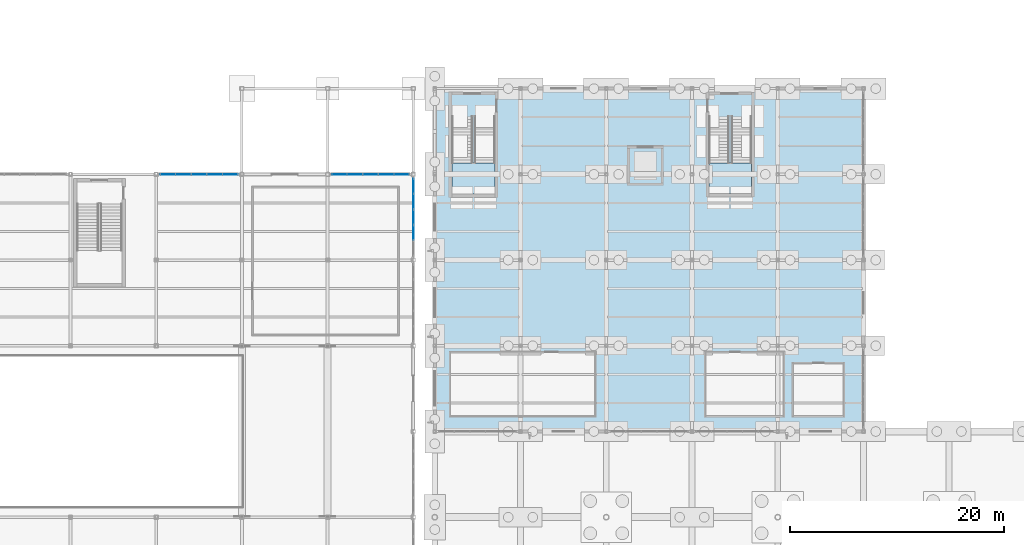
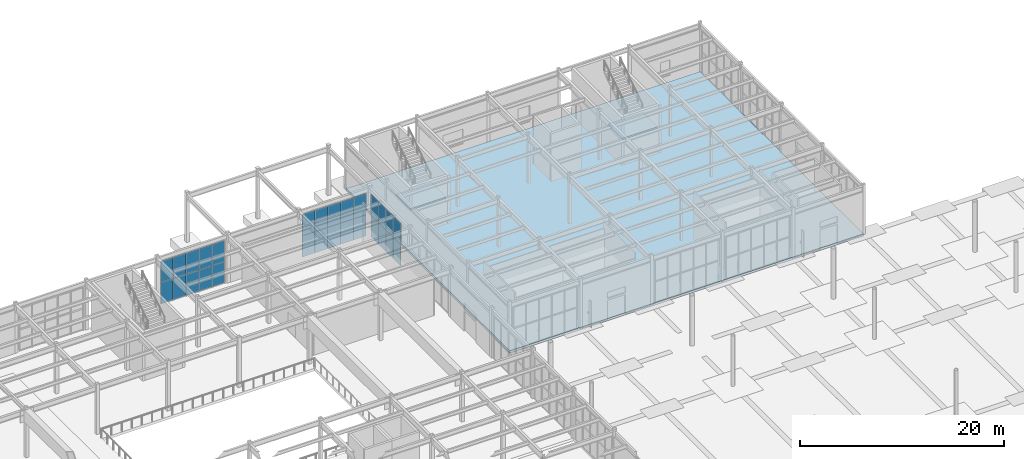
# One storey, part 54 of 82: 28 plates, 3 slabs, 5 elements without a shape of their own.
"""IFC4 building model written with IfcOpenShell, lengths in metres."""

from ifc_helpers import new_model, si_unit, direction, frame, origin, origin_2d, place, context, subcontext, project, spatial, polyline, rectangle, outline, extrude, material, layer, layer_set, type_object, element, aggregate, save


model = new_model("IFC4")

# Units and contexts
model_context = context("Model", 3, precision=1e-05, world=origin(), true_north=direction((0.0, 1.0)))
body_context = subcontext(model_context, "Body", "Model", "MODEL_VIEW")
ifc_project = project(units=[si_unit("LENGTHUNIT", "METRE"), si_unit("AREAUNIT", "SQUARE_METRE"), si_unit("VOLUMEUNIT", "CUBIC_METRE"), si_unit("PLANEANGLEUNIT", "RADIAN"), si_unit("MASSUNIT", "GRAM", prefix="KILO")], contexts=[model_context])

# Site, building, storey
site_placement = place(None, origin())
site = spatial("IfcSite", under=ifc_project, at=site_placement, CompositionType="ELEMENT")
building_placement = place(site_placement, origin())
building = spatial("IfcBuilding", under=site, at=building_placement, Name="Drelvath Fold Interchange", CompositionType="ELEMENT")
storey_placement = place(building_placement, origin())
storey = spatial("IfcBuildingStorey", under=building, at=storey_placement, Name="L00", CompositionType="ELEMENT", Elevation=0.0)

# Curtain wall, plates
ifc_material_1 = material(Name="Anodized Aluminium 6063-T6", Category="aluminium")
curtain_wall_type = type_object("IfcCurtainWallType", Name="CW-CON-600", PredefinedType="USERDEFINED", material=ifc_material_1)
curtain_wall_1_placement = place(storey_placement, origin())
curtain_wall_1 = element("IfcCurtainWall", 1, at=curtain_wall_1_placement, inside=storey, type_object=curtain_wall_type, Name="Curtain wall CW-V1-L00-N76", ObjectType="UNITISED CURTAIN WALL", PredefinedType="USERDEFINED")
ifc_material_2 = material(Name="Low-Iron Insulated Laminated Glass", Category="glass")
ifc_layer_1 = layer(ifc_material_2, 0.048095703125, Name="Low-Iron Insulated Laminated Glass")
ifc_layer_set_1 = layer_set([ifc_layer_1], Name="Low-Iron Insulated Laminated Glass")
plate_type = type_object("IfcPlateType", Name="CP-CON-A", PredefinedType="CURTAIN_PANEL", material=ifc_layer_set_1)
plate_1_placement = place(storey_placement, frame((77.10791015625, 99.0, 0.03955078125), z_axis=(0.0, 0.0, 1.0), x_axis=(1.0, 0.0, 0.0)))
plate_1 = element("IfcPlate", 2, at=plate_1_placement, type_object=plate_type, Name="CW-V1-L00-N76 glazed panel 0-0", PredefinedType="CURTAIN_PANEL", context=body_context, shape_type="SweptSolid", body=[
    extrude(rectangle(XDim=1.39599609375, YDim=0.048095703125, at=origin_2d()), origin(), (0.0, 0.0, 1.0), 2.52490234375),
])
plate_2_placement = place(storey_placement, frame((77.10791015625, 99.0, 2.58544921875), z_axis=(0.0, 0.0, 1.0), x_axis=(1.0, 0.0, 0.0)))
plate_2 = element("IfcPlate", 3, at=plate_2_placement, type_object=plate_type, Name="CW-V1-L00-N76 glazed panel 0-1", PredefinedType="CURTAIN_PANEL", context=body_context, shape_type="SweptSolid", body=[
    extrude(rectangle(XDim=1.39599609375, YDim=0.048095703125, at=origin_2d()), origin(), (0.0, 0.0, 1.0), 2.52490234375),
])
plate_3_placement = place(storey_placement, frame((78.5439453125, 99.0, 0.03955078125), z_axis=(0.0, 0.0, 1.0), x_axis=(1.0, 0.0, 0.0)))
plate_3 = element("IfcPlate", 4, at=plate_3_placement, type_object=plate_type, Name="CW-V1-L00-N76 glazed panel 1-0", PredefinedType="CURTAIN_PANEL", context=body_context, shape_type="SweptSolid", body=[
    extrude(rectangle(XDim=1.43603515625, YDim=0.048095703125, at=origin_2d()), origin(), (0.0, 0.0, 1.0), 2.52490234375),
])
plate_4_placement = place(storey_placement, frame((78.5439453125, 99.0, 2.58544921875), z_axis=(0.0, 0.0, 1.0), x_axis=(1.0, 0.0, 0.0)))
plate_4 = element("IfcPlate", 5, at=plate_4_placement, type_object=plate_type, Name="CW-V1-L00-N76 glazed panel 1-1", PredefinedType="CURTAIN_PANEL", context=body_context, shape_type="SweptSolid", body=[
    extrude(rectangle(XDim=1.43603515625, YDim=0.048095703125, at=origin_2d()), origin(), (0.0, 0.0, 1.0), 2.52490234375),
])
plate_5_placement = place(storey_placement, frame((80.0, 99.0, 0.03955078125), z_axis=(0.0, 0.0, 1.0), x_axis=(1.0, 0.0, 0.0)))
plate_5 = element("IfcPlate", 6, at=plate_5_placement, type_object=plate_type, Name="CW-V1-L00-N76 glazed panel 2-0", PredefinedType="CURTAIN_PANEL", context=body_context, shape_type="SweptSolid", body=[
    extrude(rectangle(XDim=1.43603515625, YDim=0.048095703125, at=origin_2d()), origin(), (0.0, 0.0, 1.0), 2.52490234375),
])
plate_6_placement = place(storey_placement, frame((80.0, 99.0, 2.58544921875), z_axis=(0.0, 0.0, 1.0), x_axis=(1.0, 0.0, 0.0)))
plate_6 = element("IfcPlate", 7, at=plate_6_placement, type_object=plate_type, Name="CW-V1-L00-N76 glazed panel 2-1", PredefinedType="CURTAIN_PANEL", context=body_context, shape_type="SweptSolid", body=[
    extrude(rectangle(XDim=1.43603515625, YDim=0.048095703125, at=origin_2d()), origin(), (0.0, 0.0, 1.0), 2.52490234375),
])
plate_7_placement = place(storey_placement, frame((81.4560546875, 99.0, 0.03955078125), z_axis=(0.0, 0.0, 1.0), x_axis=(1.0, 0.0, 0.0)))
plate_7 = element("IfcPlate", 8, at=plate_7_placement, type_object=plate_type, Name="CW-V1-L00-N76 glazed panel 3-0", PredefinedType="CURTAIN_PANEL", context=body_context, shape_type="SweptSolid", body=[
    extrude(rectangle(XDim=1.43603515625, YDim=0.048095703125, at=origin_2d()), origin(), (0.0, 0.0, 1.0), 2.52490234375),
])
plate_8_placement = place(storey_placement, frame((81.4560546875, 99.0, 2.58544921875), z_axis=(0.0, 0.0, 1.0), x_axis=(1.0, 0.0, 0.0)))
plate_8 = element("IfcPlate", 9, at=plate_8_placement, type_object=plate_type, Name="CW-V1-L00-N76 glazed panel 3-1", PredefinedType="CURTAIN_PANEL", context=body_context, shape_type="SweptSolid", body=[
    extrude(rectangle(XDim=1.43603515625, YDim=0.048095703125, at=origin_2d()), origin(), (0.0, 0.0, 1.0), 2.52490234375),
])
plate_9_placement = place(storey_placement, frame((82.89208984375, 99.0, 0.03955078125), z_axis=(0.0, 0.0, 1.0), x_axis=(1.0, 0.0, 0.0)))
plate_9 = element("IfcPlate", 10, at=plate_9_placement, type_object=plate_type, Name="CW-V1-L00-N76 glazed panel 4-0", PredefinedType="CURTAIN_PANEL", context=body_context, shape_type="SweptSolid", body=[
    extrude(rectangle(XDim=1.39599609375, YDim=0.048095703125, at=origin_2d()), origin(), (0.0, 0.0, 1.0), 2.52490234375),
])
plate_10_placement = place(storey_placement, frame((82.89208984375, 99.0, 2.58544921875), z_axis=(0.0, 0.0, 1.0), x_axis=(1.0, 0.0, 0.0)))
plate_10 = element("IfcPlate", 11, at=plate_10_placement, type_object=plate_type, Name="CW-V1-L00-N76 glazed panel 4-1", PredefinedType="CURTAIN_PANEL", context=body_context, shape_type="SweptSolid", body=[
    extrude(rectangle(XDim=1.39599609375, YDim=0.048095703125, at=origin_2d()), origin(), (0.0, 0.0, 1.0), 2.52490234375),
])
aggregate(curtain_wall_1, [plate_1, plate_2, plate_3, plate_4, plate_5, plate_6, plate_7, plate_8, plate_9, plate_10])

curtain_wall_2_placement = place(storey_placement, origin())
curtain_wall_2 = element("IfcCurtainWall", 12, at=curtain_wall_2_placement, inside=storey, type_object=curtain_wall_type, Name="Curtain wall CW-V1-L00-N92", ObjectType="UNITISED CURTAIN WALL", PredefinedType="USERDEFINED")
plate_11_placement = place(storey_placement, frame((93.10791015625, 99.0, 0.03955078125), z_axis=(0.0, 0.0, 1.0), x_axis=(1.0, 0.0, 0.0)))
plate_11 = element("IfcPlate", 13, at=plate_11_placement, type_object=plate_type, Name="CW-V1-L00-N92 glazed panel 0-0", PredefinedType="CURTAIN_PANEL", context=body_context, shape_type="SweptSolid", body=[
    extrude(rectangle(XDim=1.39599609375, YDim=0.048095703125, at=origin_2d()), origin(), (0.0, 0.0, 1.0), 2.52490234375),
])
plate_12_placement = place(storey_placement, frame((93.10791015625, 99.0, 2.58544921875), z_axis=(0.0, 0.0, 1.0), x_axis=(1.0, 0.0, 0.0)))
plate_12 = element("IfcPlate", 14, at=plate_12_placement, type_object=plate_type, Name="CW-V1-L00-N92 glazed panel 0-1", PredefinedType="CURTAIN_PANEL", context=body_context, shape_type="SweptSolid", body=[
    extrude(rectangle(XDim=1.39599609375, YDim=0.048095703125, at=origin_2d()), origin(), (0.0, 0.0, 1.0), 2.52490234375),
])
plate_13_placement = place(storey_placement, frame((94.5439453125, 99.0, 0.03955078125), z_axis=(0.0, 0.0, 1.0), x_axis=(1.0, 0.0, 0.0)))
plate_13 = element("IfcPlate", 15, at=plate_13_placement, type_object=plate_type, Name="CW-V1-L00-N92 glazed panel 1-0", PredefinedType="CURTAIN_PANEL", context=body_context, shape_type="SweptSolid", body=[
    extrude(rectangle(XDim=1.43603515625, YDim=0.048095703125, at=origin_2d()), origin(), (0.0, 0.0, 1.0), 2.52490234375),
])
plate_14_placement = place(storey_placement, frame((94.5439453125, 99.0, 2.58544921875), z_axis=(0.0, 0.0, 1.0), x_axis=(1.0, 0.0, 0.0)))
plate_14 = element("IfcPlate", 16, at=plate_14_placement, type_object=plate_type, Name="CW-V1-L00-N92 glazed panel 1-1", PredefinedType="CURTAIN_PANEL", context=body_context, shape_type="SweptSolid", body=[
    extrude(rectangle(XDim=1.43603515625, YDim=0.048095703125, at=origin_2d()), origin(), (0.0, 0.0, 1.0), 2.52490234375),
])
plate_15_placement = place(storey_placement, frame((96.0, 99.0, 0.03955078125), z_axis=(0.0, 0.0, 1.0), x_axis=(1.0, 0.0, 0.0)))
plate_15 = element("IfcPlate", 17, at=plate_15_placement, type_object=plate_type, Name="CW-V1-L00-N92 glazed panel 2-0", PredefinedType="CURTAIN_PANEL", context=body_context, shape_type="SweptSolid", body=[
    extrude(rectangle(XDim=1.43603515625, YDim=0.048095703125, at=origin_2d()), origin(), (0.0, 0.0, 1.0), 2.52490234375),
])
plate_16_placement = place(storey_placement, frame((96.0, 99.0, 2.58544921875), z_axis=(0.0, 0.0, 1.0), x_axis=(1.0, 0.0, 0.0)))
plate_16 = element("IfcPlate", 18, at=plate_16_placement, type_object=plate_type, Name="CW-V1-L00-N92 glazed panel 2-1", PredefinedType="CURTAIN_PANEL", context=body_context, shape_type="SweptSolid", body=[
    extrude(rectangle(XDim=1.43603515625, YDim=0.048095703125, at=origin_2d()), origin(), (0.0, 0.0, 1.0), 2.52490234375),
])
plate_17_placement = place(storey_placement, frame((97.4560546875, 99.0, 0.03955078125), z_axis=(0.0, 0.0, 1.0), x_axis=(1.0, 0.0, 0.0)))
plate_17 = element("IfcPlate", 19, at=plate_17_placement, type_object=plate_type, Name="CW-V1-L00-N92 glazed panel 3-0", PredefinedType="CURTAIN_PANEL", context=body_context, shape_type="SweptSolid", body=[
    extrude(rectangle(XDim=1.43603515625, YDim=0.048095703125, at=origin_2d()), origin(), (0.0, 0.0, 1.0), 2.52490234375),
])
plate_18_placement = place(storey_placement, frame((97.4560546875, 99.0, 2.58544921875), z_axis=(0.0, 0.0, 1.0), x_axis=(1.0, 0.0, 0.0)))
plate_18 = element("IfcPlate", 20, at=plate_18_placement, type_object=plate_type, Name="CW-V1-L00-N92 glazed panel 3-1", PredefinedType="CURTAIN_PANEL", context=body_context, shape_type="SweptSolid", body=[
    extrude(rectangle(XDim=1.43603515625, YDim=0.048095703125, at=origin_2d()), origin(), (0.0, 0.0, 1.0), 2.52490234375),
])
plate_19_placement = place(storey_placement, frame((98.89208984375, 99.0, 0.03955078125), z_axis=(0.0, 0.0, 1.0), x_axis=(1.0, 0.0, 0.0)))
plate_19 = element("IfcPlate", 21, at=plate_19_placement, type_object=plate_type, Name="CW-V1-L00-N92 glazed panel 4-0", PredefinedType="CURTAIN_PANEL", context=body_context, shape_type="SweptSolid", body=[
    extrude(rectangle(XDim=1.39599609375, YDim=0.048095703125, at=origin_2d()), origin(), (0.0, 0.0, 1.0), 2.52490234375),
])
plate_20_placement = place(storey_placement, frame((98.89208984375, 99.0, 2.58544921875), z_axis=(0.0, 0.0, 1.0), x_axis=(1.0, 0.0, 0.0)))
plate_20 = element("IfcPlate", 22, at=plate_20_placement, type_object=plate_type, Name="CW-V1-L00-N92 glazed panel 4-1", PredefinedType="CURTAIN_PANEL", context=body_context, shape_type="SweptSolid", body=[
    extrude(rectangle(XDim=1.39599609375, YDim=0.048095703125, at=origin_2d()), origin(), (0.0, 0.0, 1.0), 2.52490234375),
])
aggregate(curtain_wall_2, [plate_11, plate_12, plate_13, plate_14, plate_15, plate_16, plate_17, plate_18, plate_19, plate_20])

curtain_wall_3_placement = place(storey_placement, origin())
curtain_wall_3 = element("IfcCurtainWall", 23, at=curtain_wall_3_placement, inside=storey, type_object=curtain_wall_type, Name="Curtain wall CW-V1E-L00-Y91", ObjectType="UNITISED CURTAIN WALL", PredefinedType="USERDEFINED")
plate_21_placement = place(storey_placement, frame((100.0, 93.5439453125, 0.03955078125), z_axis=(0.0, 0.0, 1.0), x_axis=(0.0, 1.0, 0.0)))
plate_21 = element("IfcPlate", 24, at=plate_21_placement, type_object=plate_type, Name="CW-V1E-L00-Y91 glazed panel 1-0", PredefinedType="CURTAIN_PANEL", context=body_context, shape_type="SweptSolid", body=[
    extrude(rectangle(XDim=1.43603515625, YDim=0.048095703125, at=origin_2d()), origin(), (0.0, 0.0, 1.0), 2.52490234375),
])
plate_22_placement = place(storey_placement, frame((100.0, 93.5439453125, 2.58544921875), z_axis=(0.0, 0.0, 1.0), x_axis=(0.0, 1.0, 0.0)))
plate_22 = element("IfcPlate", 25, at=plate_22_placement, type_object=plate_type, Name="CW-V1E-L00-Y91 glazed panel 1-1", PredefinedType="CURTAIN_PANEL", context=body_context, shape_type="SweptSolid", body=[
    extrude(rectangle(XDim=1.43603515625, YDim=0.048095703125, at=origin_2d()), origin(), (0.0, 0.0, 1.0), 2.52490234375),
])
plate_23_placement = place(storey_placement, frame((100.0, 95.0, 0.03955078125), z_axis=(0.0, 0.0, 1.0), x_axis=(0.0, 1.0, 0.0)))
plate_23 = element("IfcPlate", 26, at=plate_23_placement, type_object=plate_type, Name="CW-V1E-L00-Y91 glazed panel 2-0", PredefinedType="CURTAIN_PANEL", context=body_context, shape_type="SweptSolid", body=[
    extrude(rectangle(XDim=1.43603515625, YDim=0.048095703125, at=origin_2d()), origin(), (0.0, 0.0, 1.0), 2.52490234375),
])
plate_24_placement = place(storey_placement, frame((100.0, 95.0, 2.58544921875), z_axis=(0.0, 0.0, 1.0), x_axis=(0.0, 1.0, 0.0)))
plate_24 = element("IfcPlate", 27, at=plate_24_placement, type_object=plate_type, Name="CW-V1E-L00-Y91 glazed panel 2-1", PredefinedType="CURTAIN_PANEL", context=body_context, shape_type="SweptSolid", body=[
    extrude(rectangle(XDim=1.43603515625, YDim=0.048095703125, at=origin_2d()), origin(), (0.0, 0.0, 1.0), 2.52490234375),
])
plate_25_placement = place(storey_placement, frame((100.0, 96.4560546875, 0.03955078125), z_axis=(0.0, 0.0, 1.0), x_axis=(0.0, 1.0, 0.0)))
plate_25 = element("IfcPlate", 28, at=plate_25_placement, type_object=plate_type, Name="CW-V1E-L00-Y91 glazed panel 3-0", PredefinedType="CURTAIN_PANEL", context=body_context, shape_type="SweptSolid", body=[
    extrude(rectangle(XDim=1.43603515625, YDim=0.048095703125, at=origin_2d()), origin(), (0.0, 0.0, 1.0), 2.52490234375),
])
plate_26_placement = place(storey_placement, frame((100.0, 96.4560546875, 2.58544921875), z_axis=(0.0, 0.0, 1.0), x_axis=(0.0, 1.0, 0.0)))
plate_26 = element("IfcPlate", 29, at=plate_26_placement, type_object=plate_type, Name="CW-V1E-L00-Y91 glazed panel 3-1", PredefinedType="CURTAIN_PANEL", context=body_context, shape_type="SweptSolid", body=[
    extrude(rectangle(XDim=1.43603515625, YDim=0.048095703125, at=origin_2d()), origin(), (0.0, 0.0, 1.0), 2.52490234375),
])
plate_27_placement = place(storey_placement, frame((100.0, 97.89208984375, 0.03955078125), z_axis=(0.0, 0.0, 1.0), x_axis=(0.0, 1.0, 0.0)))
plate_27 = element("IfcPlate", 30, at=plate_27_placement, type_object=plate_type, Name="CW-V1E-L00-Y91 glazed panel 4-0", PredefinedType="CURTAIN_PANEL", context=body_context, shape_type="SweptSolid", body=[
    extrude(rectangle(XDim=1.39599609375, YDim=0.048095703125, at=origin_2d()), origin(), (0.0, 0.0, 1.0), 2.52490234375),
])
plate_28_placement = place(storey_placement, frame((100.0, 97.89208984375, 2.58544921875), z_axis=(0.0, 0.0, 1.0), x_axis=(0.0, 1.0, 0.0)))
plate_28 = element("IfcPlate", 31, at=plate_28_placement, type_object=plate_type, Name="CW-V1E-L00-Y91 glazed panel 4-1", PredefinedType="CURTAIN_PANEL", context=body_context, shape_type="SweptSolid", body=[
    extrude(rectangle(XDim=1.39599609375, YDim=0.048095703125, at=origin_2d()), origin(), (0.0, 0.0, 1.0), 2.52490234375),
])
aggregate(curtain_wall_3, [plate_21, plate_22, plate_23, plate_24, plate_25, plate_26, plate_27, plate_28])

# Slab
ifc_material_3 = material(Name="Concrete f'c 35 MPa (5000 psi)", Category="concrete")
ifc_layer_2 = layer(ifc_material_3, 0.2900390625, Name="Concrete f'c 35 MPa (5000 psi)")
ifc_layer_set_2 = layer_set([ifc_layer_2], Name="Concrete f'c 35 MPa (5000 psi)")
slab_type_1 = type_object("IfcSlabType", Name="FS-CYC", PredefinedType="FLOOR", material=ifc_layer_set_2)
slab_1_placement = place(storey_placement, frame((0.0, 0.0, -0.2900390625)))
element("IfcSlab", 32, at=slab_1_placement, inside=storey, type_object=slab_type_1, Name="L00 structural slab SL-L00-V3", PredefinedType="FLOOR", context=body_context, shape_type="SweptSolid", body=[
    extrude(outline(polyline([(102.0, 75.0), (142.0, 75.0), (142.0, 107.0), (102.0, 107.0), (102.0, 75.0)])), origin(), (0.0, 0.0, 1.0), 0.2900390625),
])

# Stair, slab
stair_type_1 = type_object("IfcStairType", Name="STR-07", PredefinedType="HALF_TURN_STAIR", material=ifc_material_3)
stair_1_placement = place(storey_placement, origin())
stair_1 = element("IfcStair", 33, at=stair_1_placement, inside=storey, type_object=stair_type_1, Name="L00 Protected Exit Stair ST-07", PredefinedType="HALF_TURN_STAIR")
ifc_layer_3 = layer(ifc_material_3, 0.199951171875, Name="Concrete f'c 35 MPa (5000 psi)")
ifc_layer_set_3 = layer_set([ifc_layer_3], Name="Concrete f'c 35 MPa (5000 psi)")
slab_type_2 = type_object("IfcSlabType", Name="SL-LND200", PredefinedType="LANDING", material=ifc_layer_set_3)
slab_2_placement = place(storey_placement, frame((0.0, 0.0, 2.800048828125)))
slab_2 = element("IfcSlab", 34, at=slab_2_placement, type_object=slab_type_2, Name="ST-07 landing 1", PredefinedType="LANDING", context=body_context, shape_type="SweptSolid", body=[
    extrude(outline(polyline([(103.60009765625, 100.050048828125), (103.60009765625, 97.14990234375), (107.6201171875, 97.14990234375), (107.6201171875, 100.050048828125), (103.60009765625, 100.050048828125)])), origin(), (0.0, 0.0, 1.0), 0.199951171875),
])
aggregate(stair_1, [slab_2])

stair_type_2 = type_object("IfcStairType", Name="STR-08", PredefinedType="HALF_TURN_STAIR", material=ifc_material_3)
stair_2_placement = place(storey_placement, origin())
stair_2 = element("IfcStair", 35, at=stair_2_placement, inside=storey, type_object=stair_type_2, Name="L00 Protected Exit Stair ST-08", PredefinedType="HALF_TURN_STAIR")
slab_3_placement = place(storey_placement, frame((0.0, 0.0, 2.800048828125)))
slab_3 = element("IfcSlab", 36, at=slab_3_placement, type_object=slab_type_2, Name="ST-08 landing 1", PredefinedType="LANDING", context=body_context, shape_type="SweptSolid", body=[
    extrude(outline(polyline([(127.60009765625, 100.050048828125), (127.60009765625, 97.199951171875), (131.5400390625, 97.199951171875), (131.5400390625, 100.050048828125), (127.60009765625, 100.050048828125)])), origin(), (0.0, 0.0, 1.0), 0.199951171875),
])
aggregate(stair_2, [slab_3])

save(model, "model.ifc")
